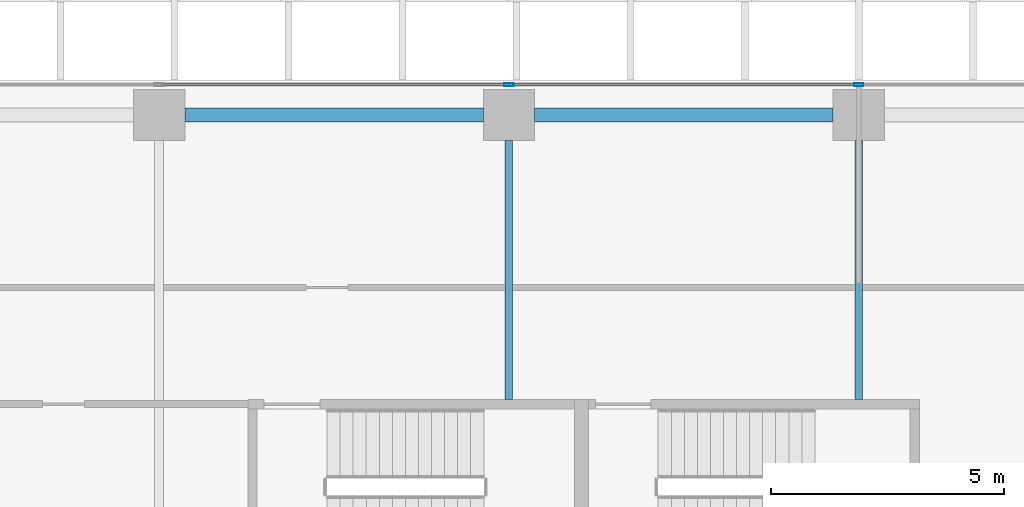
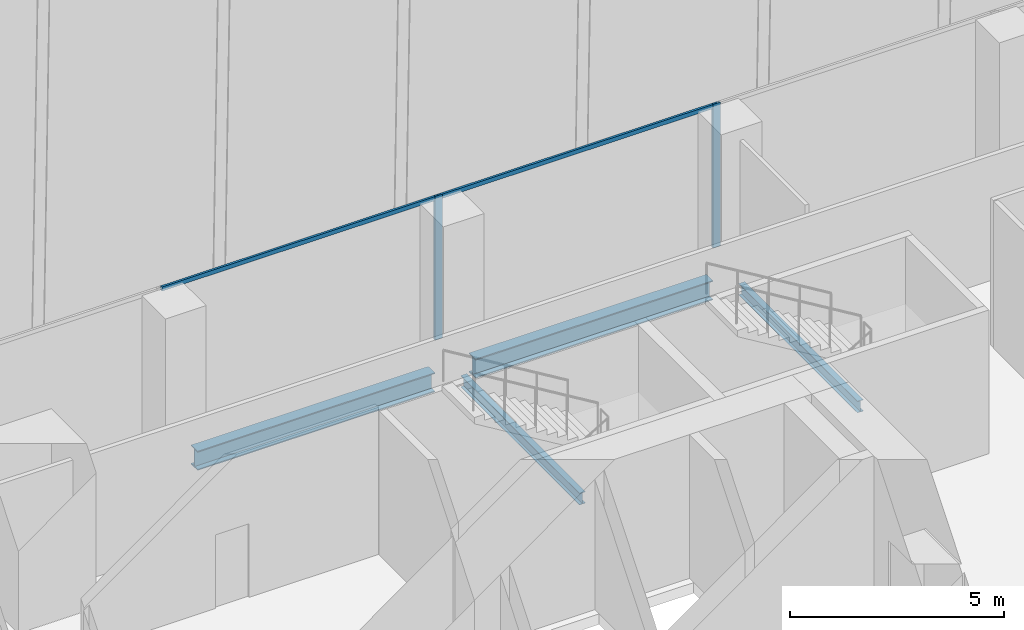
# One storey, part 15 of 35: 4 beams, 4 members, 1 element without a shape of its own.
"""IFC4 building model written with IfcOpenShell, lengths in metres."""

from ifc_helpers import new_model, si_unit, direction, frame, origin, origin_2d, place, context, subcontext, project, spatial, hollow_rectangle, i_section, extrude, source, transform, mapped, material, material_profile, profile_set, type_object, element, aggregate, save


model = new_model("IFC4")

# Units and contexts
model_context = context("Model", 3, precision=1e-05, world=origin(), true_north=direction((0.0, 1.0)))
body_context = subcontext(model_context, "Body", "Model", "MODEL_VIEW")
ifc_project = project(units=[si_unit("LENGTHUNIT", "METRE"), si_unit("AREAUNIT", "SQUARE_METRE"), si_unit("VOLUMEUNIT", "CUBIC_METRE"), si_unit("PLANEANGLEUNIT", "RADIAN"), si_unit("MASSUNIT", "GRAM", prefix="KILO")], contexts=[model_context])

# Site, building, storey
site_placement = place(None, origin())
site = spatial("IfcSite", under=ifc_project, at=site_placement, CompositionType="ELEMENT")
building_placement = place(site_placement, origin())
building = spatial("IfcBuilding", under=site, at=building_placement, Name="Khomas Fold Tower", CompositionType="ELEMENT")
storey_placement = place(building_placement, frame((0.0, 0.0, 127.89990234375)))
storey = spatial("IfcBuildingStorey", under=building, at=storey_placement, Name="L27", CompositionType="ELEMENT", Elevation=127.89990234375)

# Beams
ifc_material_1 = material(Name="Steel S355", Category="steel")
ifc_material_profile_1 = material_profile(ifc_material_1, i_section(OverallWidth=0.300048828125, OverallDepth=0.550048828125, WebThickness=0.014892578125, FlangeThickness=0.029052734375, at=origin_2d()), Name="HE 550 B")
ifc_profile_set_1 = profile_set([ifc_material_profile_1], Name="Steel S355")
beam_type_1 = type_object("IfcBeamType", Name="HE 550 B spandrel SB2", PredefinedType="SPANDREL", material=ifc_profile_set_1)
shared_shape_1 = source(origin(), body_context, "Body", "SweptSolid", [
    extrude(i_section(OverallWidth=0.300048828125, OverallDepth=0.550048828125, WebThickness=0.014892578125, FlangeThickness=0.029052734375, at=origin_2d()), origin(), (0.0, 0.0, 1.0), 6.39990234375),
])
for number, where, z_axis, x_axis, name in (
    (1, (20.050048828125, 51.75, -0.574951171875), (1.0, 0.0, 0.0), (0.0, 1.0, 0.0), "SB2"),
    (2, (12.550048828125, 51.75, -0.574951171875), (1.0, 0.0, 0.0), (0.0, 1.0, 0.0), "SB2"),
):
    element("IfcBeam", number, at=place(storey_placement, frame(where, z_axis=z_axis, x_axis=x_axis)), inside=storey, type_object=beam_type_1, Name=name, PredefinedType="SPANDREL", context=body_context, shape_type="MappedRepresentation", body=[
        mapped(shared_shape_1, transform((0.0, 0.0, 0.0))),
    ])
ifc_material_2 = material(Name="Steel S355", Category="steel")
ifc_material_profile_2 = material_profile(ifc_material_2, i_section(OverallWidth=0.159912109375, OverallDepth=0.330078125, WebThickness=0.007568359375, FlangeThickness=0.011474609375, at=origin_2d()), Name="IPE 330")
ifc_profile_set_2 = profile_set([ifc_material_profile_2], Name="Steel S355")
beam_type_2 = type_object("IfcBeamType", Name="IPE 330 beam JB1", PredefinedType="BEAM", material=ifc_profile_set_2)
shared_shape_2 = source(origin(), body_context, "Body", "SweptSolid", [
    extrude(i_section(OverallWidth=0.159912109375, OverallDepth=0.330078125, WebThickness=0.007568359375, FlangeThickness=0.011474609375, at=origin_2d()), origin(), (0.0, 0.0, 1.0), 5.550048828125),
])
for number, where, z_axis, x_axis, name in (
    (3, (19.5, 45.64990234375, -0.46484375), (0.0, 1.0, 0.0), (-1.0, 0.0, 0.0), "JB1"),
    (4, (27.0, 45.64990234375, -0.46484375), (0.0, 1.0, 0.0), (-1.0, 0.0, 0.0), "JB1"),
):
    element("IfcBeam", number, at=place(storey_placement, frame(where, z_axis=z_axis, x_axis=x_axis)), inside=storey, type_object=beam_type_2, Name=name, PredefinedType="BEAM", context=body_context, shape_type="MappedRepresentation", body=[
        mapped(shared_shape_2, transform((0.0, 0.0, 0.0))),
    ])

# Curtain wall, members
ifc_material_3 = material(Name="Aluminium framed double glazing", Category="aluminium")
curtain_wall_type = type_object("IfcCurtainWallType", Name="SK-Unitised clear-glass wall, growing floors CW1", PredefinedType="NOTDEFINED", material=ifc_material_3)
curtain_wall_placement = place(storey_placement, origin())
curtain_wall = element("IfcCurtainWall", 5, at=curtain_wall_placement, inside=storey, type_object=curtain_wall_type, Name="CW1 run L27 06-0", PredefinedType="NOTDEFINED")
ifc_material_4 = material(Name="Aluminium", Category="aluminium")
ifc_material_profile_3 = material_profile(ifc_material_4, hollow_rectangle(XDim=0.06005859375, YDim=0.1201171875, WallThickness=0.00390625, at=origin_2d()), Name="SK-Unitised clear-glass wall, growing floors transom CW1-T")
ifc_profile_set_3 = profile_set([ifc_material_profile_3], Name="Aluminium")
member_type_1 = type_object("IfcMemberType", Name="SK-Unitised clear-glass wall, growing floors transom CW1-T", PredefinedType="USERDEFINED", material=ifc_profile_set_3)
shared_shape_3 = source(origin(), body_context, "Body", "SweptSolid", [
    extrude(hollow_rectangle(XDim=0.06005859375, YDim=0.1201171875, WallThickness=0.00390625, at=origin_2d()), origin(), (0.0, 0.0, 1.0), 7.43994140625),
])
member_1_placement = place(storey_placement, frame((26.969970703125, 52.39990234375, 4.0400390625), z_axis=(-1.0, 0.0, 0.0), x_axis=(0.0, -1.0, 0.0)))
member_1 = element("IfcMember", 6, at=member_1_placement, type_object=member_type_1, Name="CW1 transom 5", ObjectType="TRANSOM", PredefinedType="USERDEFINED", context=body_context, shape_type="MappedRepresentation", body=[
    mapped(shared_shape_3, transform((0.0, 0.0, 0.0))),
])
member_2_placement = place(storey_placement, frame((19.469970703125, 52.39990234375, 4.0400390625), z_axis=(-1.0, 0.0, 0.0), x_axis=(0.0, -1.0, 0.0)))
member_2 = element("IfcMember", 7, at=member_2_placement, type_object=member_type_1, Name="CW1 transom 6", ObjectType="TRANSOM", PredefinedType="USERDEFINED", context=body_context, shape_type="MappedRepresentation", body=[
    mapped(shared_shape_3, transform((0.0, 0.0, 0.0))),
])
ifc_material_5 = material(Name="Aluminium", Category="aluminium")
ifc_material_profile_4 = material_profile(ifc_material_5, hollow_rectangle(XDim=0.06005859375, YDim=0.199951171875, WallThickness=0.00390625, at=origin_2d()), Name="SK-Unitised clear-glass wall, growing floors mullion CW1-M")
ifc_profile_set_4 = profile_set([ifc_material_profile_4], Name="Aluminium")
member_type_2 = type_object("IfcMemberType", Name="SK-Unitised clear-glass wall, growing floors mullion CW1-M", PredefinedType="MULLION", material=ifc_profile_set_4)
shared_shape_4 = source(origin(), body_context, "Body", "SweptSolid", [
    extrude(hollow_rectangle(XDim=0.06005859375, YDim=0.199951171875, WallThickness=0.00390625, at=origin_2d()), origin(), (0.0, 0.0, 1.0), 4.10009765625),
])
member_3_placement = place(storey_placement, frame((27.0, 52.39990234375, 0.0), z_axis=(0.0, 0.0, 1.0), x_axis=(0.0, -1.0, 0.0)))
member_3 = element("IfcMember", 8, at=member_3_placement, type_object=member_type_2, Name="CW1 mullion 5", PredefinedType="MULLION", context=body_context, shape_type="MappedRepresentation", body=[
    mapped(shared_shape_4, transform((0.0, 0.0, 0.0))),
])
member_4_placement = place(storey_placement, frame((19.5, 52.39990234375, 0.0), z_axis=(0.0, 0.0, 1.0), x_axis=(0.0, -1.0, 0.0)))
member_4 = element("IfcMember", 9, at=member_4_placement, type_object=member_type_2, Name="CW1 mullion 6", PredefinedType="MULLION", context=body_context, shape_type="MappedRepresentation", body=[
    mapped(shared_shape_4, transform((0.0, 0.0, 0.0))),
])
aggregate(curtain_wall, [member_3, member_4, member_1, member_2])

save(model, "model.ifc")
